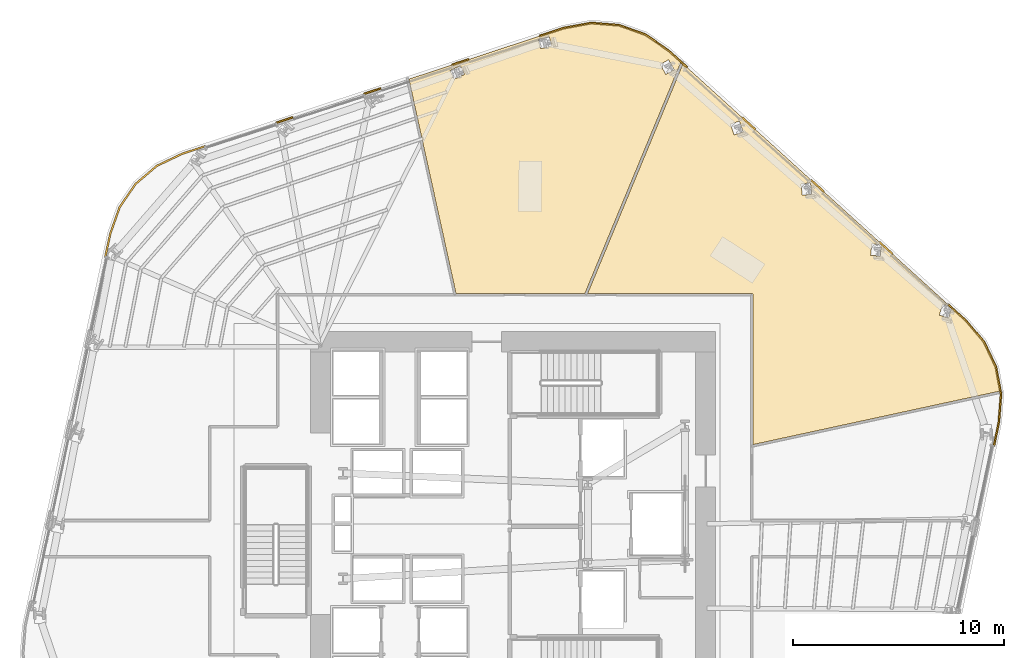
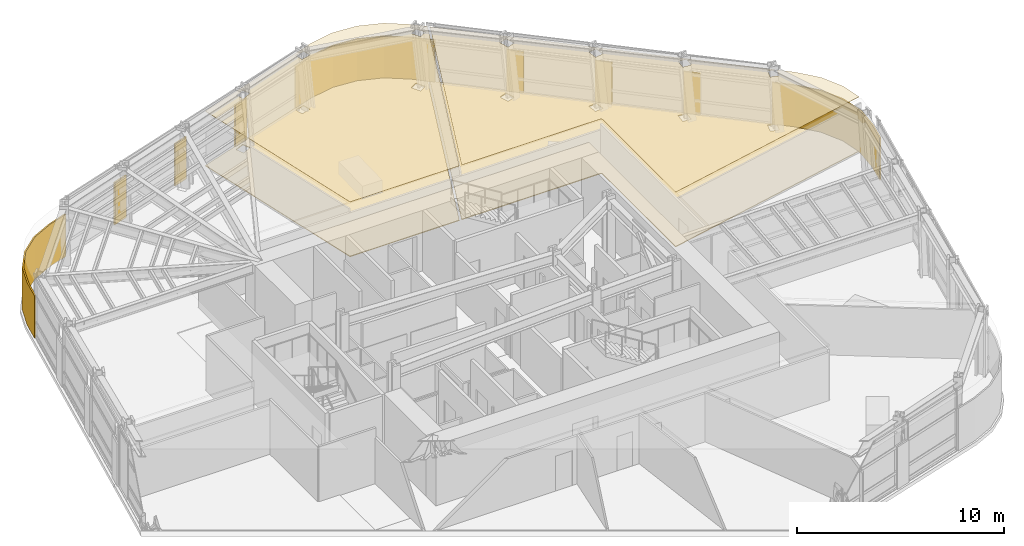
# One storey, part 15 of 16: 13 coverings.
"""IFC4 building model written with IfcOpenShell, lengths in metres."""

from ifc_helpers import new_model, si_unit, direction, frame, origin, place, context, subcontext, project, spatial, polyline, outline, extrude, material, layer, layer_set, type_object, element, save


model = new_model("IFC4")

# Units and contexts
model_context = context("Model", 3, precision=1e-05, world=origin(), true_north=direction((0.0, 1.0)))
body_context = subcontext(model_context, "Body", "Model", "MODEL_VIEW")
ifc_project = project(units=[si_unit("LENGTHUNIT", "METRE"), si_unit("AREAUNIT", "SQUARE_METRE"), si_unit("VOLUMEUNIT", "CUBIC_METRE"), si_unit("PLANEANGLEUNIT", "RADIAN"), si_unit("MASSUNIT", "GRAM", prefix="KILO")], contexts=[model_context])

# Site, building, storey
site_placement = place(None, origin())
site = spatial("IfcSite", under=ifc_project, at=site_placement, CompositionType="ELEMENT")
building_placement = place(site_placement, origin())
building = spatial("IfcBuilding", under=site, at=building_placement, Name="Valkerne Bourse Tower", CompositionType="ELEMENT")
storey_placement = place(building_placement, frame((0.0, 0.0, 101.0)))
storey = spatial("IfcBuildingStorey", under=building, at=storey_placement, Name="L25", CompositionType="ELEMENT", Elevation=101.0)

# Coverings
ifc_material_1 = material(Name="Mineral Fiber Acoustic Ceiling Tile", Category="acoustic")
ifc_layer_1 = layer(ifc_material_1, 0.02490234375)
ifc_layer_set_1 = layer_set([ifc_layer_1], Name="Mineral Fiber Acoustic Ceiling Tile")
covering_type_1 = type_object("IfcCoveringType", Name="COV-CEIL-ACT", PredefinedType="CEILING", material=ifc_layer_set_1)
covering_1_placement = place(storey_placement, frame((0.0, 0.0, 3.22998046875)))
element("IfcCovering", 1, at=covering_1_placement, inside=storey, type_object=covering_type_1, Name="L25 Suspended Ceiling 06", PredefinedType="CEILING", context=body_context, shape_type="SweptSolid", body=[
    extrude(outline(polyline([(51.819580078125, 50.615966796875), (53.063720703125, 50.175537109375), (54.15869140625, 49.4228515625), (54.760009765625, 48.876708984375), (50.2119140625, 37.9189453125), (44.101806640625, 37.9189453125), (41.87158203125, 48.0625), (49.19775390625, 50.477294921875), (50.504150390625, 50.719482421875), (51.819580078125, 50.615966796875)]), holes=[polyline([(44.50390625, 48.284423828125), (44.31640625, 48.693359375), (44.313232421875, 48.693115234375), (43.82568359375, 48.468017578125), (44.01318359375, 48.05908203125), (44.016357421875, 48.0595703125), (44.50390625, 48.284423828125)]), polyline([(54.173828125, 48.980712890625), (54.170654296875, 48.981689453125), (53.778564453125, 48.76318359375), (54.0380859375, 48.29248046875), (54.041259765625, 48.291259765625), (54.43359375, 48.510009765625), (54.173828125, 48.980712890625)]), polyline([(48.52294921875, 50.069580078125), (48.519775390625, 50.06982421875), (47.998779296875, 49.940185546875), (48.106201171875, 49.50341796875), (48.109619140625, 49.503173828125), (48.63037109375, 49.6328125), (48.52294921875, 50.069580078125)])]), origin(), (0.0, 0.0, 1.0), 0.02490234375),
])
covering_2_placement = place(storey_placement, frame((0.0, 0.0, 3.22998046875)))
element("IfcCovering", 2, at=covering_2_placement, inside=storey, type_object=covering_type_1, Name="L25 Suspended Ceiling 08", PredefinedType="CEILING", context=body_context, shape_type="SweptSolid", body=[
    extrude(outline(polyline([(69.673095703125, 34.431884765625), (69.88427734375, 33.29296875), (58.1689453125, 30.754150390625), (58.1689453125, 37.850341796875), (58.16259765625, 37.87890625), (58.146484375, 37.901123046875), (58.100830078125, 37.9189453125), (50.339599609375, 37.9189453125), (54.852783203125, 48.79248046875), (67.5078125, 37.30029296875), (67.149658203125, 37.403076171875), (66.999267578125, 36.886962890625), (67.00048828125, 36.884033203125), (67.432373046875, 36.760009765625), (67.57275390625, 37.241455078125), (68.24169921875, 36.6337890625), (69.10498046875, 35.623046875), (69.673095703125, 34.431884765625)]), holes=[polyline([(64.24462890625, 40.21630859375), (64.242919921875, 40.218994140625), (63.79541015625, 40.259521484375), (63.74462890625, 39.724365234375), (63.74658203125, 39.7216796875), (64.194091796875, 39.68115234375), (64.24462890625, 40.21630859375)]), polyline([(60.89306640625, 43.15087890625), (60.890869140625, 43.15283203125), (60.444580078125, 43.1015625), (60.50390625, 42.567138671875), (60.506103515625, 42.565185546875), (60.952392578125, 42.616455078125), (60.89306640625, 43.15087890625)]), polyline([(57.7001953125, 45.56201171875), (57.533447265625, 46.072998046875), (57.53076171875, 46.07470703125), (57.104248046875, 45.93359375), (57.27099609375, 45.422607421875), (57.273681640625, 45.4208984375), (57.7001953125, 45.56201171875)])]), origin(), (0.0, 0.0, 1.0), 0.02490234375),
])
ifc_material_2 = material(Name="Bronze Anodised Aluminium AA 6063-T6", Category="aluminium")
ifc_layer_2 = layer(ifc_material_2, 0.06005859375)
ifc_layer_set_2 = layer_set([ifc_layer_2], Name="Bronze Anodised Aluminium AA 6063-T6")
covering_type_2 = type_object("IfcCoveringType", Name="COV-CRN-ALUM", PredefinedType="CLADDING", material=ifc_layer_set_2)
covering_3_placement = place(storey_placement, origin())
element("IfcCovering", 3, at=covering_3_placement, inside=storey, type_object=covering_type_2, Name="L25 Wind-Shaped Corner Aluminium Cladding 13", PredefinedType="CLADDING", context=body_context, shape_type="SweptSolid", body=[
    extrude(outline(polyline([(27.693603515625, 40.76416015625), (28.14013671875, 42.025390625), (28.894287109375, 43.12255859375), (29.90625, 43.987060546875), (31.114013671875, 44.56298828125), (32.201416015625, 44.92138671875), (32.226318359375, 44.845458984375), (31.143798828125, 44.488525390625), (29.9501953125, 43.919189453125), (28.9541015625, 43.068603515625), (28.212158203125, 41.989013671875), (27.770751953125, 40.7421875), (27.529052734375, 39.628662109375), (27.45068359375, 39.645263671875), (27.693603515625, 40.76416015625)])), origin(), (0.0, 0.0, 1.0), 2.5),
])
covering_4_placement = place(storey_placement, origin())
element("IfcCovering", 4, at=covering_4_placement, inside=storey, type_object=covering_type_2, Name="L25 Wind-Shaped Corner Aluminium Cladding 14", PredefinedType="CLADDING", context=body_context, shape_type="SweptSolid", body=[
    extrude(outline(polyline([(36.3642578125, 46.293701171875), (36.388916015625, 46.217529296875), (35.59130859375, 45.95458984375), (35.56640625, 46.030517578125), (36.3642578125, 46.293701171875)])), origin(), (0.0, 0.0, 1.0), 2.5),
])
covering_5_placement = place(storey_placement, origin())
element("IfcCovering", 5, at=covering_5_placement, inside=storey, type_object=covering_type_2, Name="L25 Wind-Shaped Corner Aluminium Cladding 15", PredefinedType="CLADDING", context=body_context, shape_type="SweptSolid", body=[
    extrude(outline(polyline([(40.52685546875, 47.665771484375), (40.551513671875, 47.589599609375), (39.75390625, 47.32666015625), (39.72900390625, 47.402587890625), (40.52685546875, 47.665771484375)])), origin(), (0.0, 0.0, 1.0), 2.5),
])
covering_6_placement = place(storey_placement, origin())
element("IfcCovering", 6, at=covering_6_placement, inside=storey, type_object=covering_type_2, Name="L25 Wind-Shaped Corner Aluminium Cladding 16", PredefinedType="CLADDING", context=body_context, shape_type="SweptSolid", body=[
    extrude(outline(polyline([(44.689697265625, 49.037841796875), (44.71435546875, 48.961669921875), (43.91650390625, 48.69873046875), (43.891845703125, 48.77490234375), (44.689697265625, 49.037841796875)])), origin(), (0.0, 0.0, 1.0), 2.5),
])
covering_7_placement = place(storey_placement, origin())
element("IfcCovering", 7, at=covering_7_placement, inside=storey, type_object=covering_type_2, Name="L25 Wind-Shaped Corner Aluminium Cladding 17", PredefinedType="CLADDING", context=body_context, shape_type="SweptSolid", body=[
    extrude(outline(polyline([(49.186767578125, 50.52001953125), (50.501953125, 50.763916015625), (51.828857421875, 50.659423828125), (53.083740234375, 50.215087890625), (54.18603515625, 49.45751953125), (55.068603515625, 48.656005859375), (55.01513671875, 48.5966796875), (54.13623046875, 49.394775390625), (53.047119140625, 50.143310546875), (51.812255859375, 50.58056640625), (50.506103515625, 50.683349609375), (49.206787109375, 50.4423828125), (48.079345703125, 50.07080078125), (48.0546875, 50.14697265625), (49.186767578125, 50.52001953125)])), origin(), (0.0, 0.0, 1.0), 2.5),
])
covering_8_placement = place(storey_placement, origin())
element("IfcCovering", 8, at=covering_8_placement, inside=storey, type_object=covering_type_2, Name="L25 Wind-Shaped Corner Aluminium Cladding 18", PredefinedType="CLADDING", context=body_context, shape_type="SweptSolid", body=[
    extrude(outline(polyline([(58.313232421875, 45.70947265625), (58.259765625, 45.64990234375), (57.637939453125, 46.214599609375), (57.69140625, 46.274169921875), (58.313232421875, 45.70947265625)])), origin(), (0.0, 0.0, 1.0), 2.5),
])
covering_9_placement = place(storey_placement, origin())
element("IfcCovering", 9, at=covering_9_placement, inside=storey, type_object=covering_type_2, Name="L25 Wind-Shaped Corner Aluminium Cladding 19", PredefinedType="CLADDING", context=body_context, shape_type="SweptSolid", body=[
    extrude(outline(polyline([(61.55810546875, 42.7626953125), (61.504638671875, 42.703369140625), (60.8828125, 43.26806640625), (60.936279296875, 43.32763671875), (61.55810546875, 42.7626953125)])), origin(), (0.0, 0.0, 1.0), 2.5),
])
covering_10_placement = place(storey_placement, origin())
element("IfcCovering", 10, at=covering_10_placement, inside=storey, type_object=covering_type_2, Name="L25 Wind-Shaped Corner Aluminium Cladding 20", PredefinedType="CLADDING", context=body_context, shape_type="SweptSolid", body=[
    extrude(outline(polyline([(64.802734375, 39.816162109375), (64.749267578125, 39.7568359375), (64.12744140625, 40.321533203125), (64.180908203125, 40.380859375), (64.802734375, 39.816162109375)])), origin(), (0.0, 0.0, 1.0), 2.5),
])
covering_11_placement = place(storey_placement, origin())
element("IfcCovering", 11, at=covering_11_placement, inside=storey, type_object=covering_type_2, Name="L25 Wind-Shaped Corner Aluminium Cladding 21", PredefinedType="CLADDING", context=body_context, shape_type="SweptSolid", body=[
    extrude(outline(polyline([(68.2734375, 36.66455078125), (69.142333984375, 35.647216796875), (69.71533203125, 34.445556640625), (69.9580078125, 33.13671875), (69.85302734375, 31.802978515625), (69.61962890625, 30.681884765625), (69.54150390625, 30.69873046875), (69.773681640625, 31.814208984375), (69.87744140625, 33.132568359375), (69.638671875, 34.420654296875), (69.07470703125, 35.603271484375), (68.2158203125, 36.608642578125), (67.372314453125, 37.374755859375), (67.42578125, 37.434326171875), (68.2734375, 36.66455078125)])), origin(), (0.0, 0.0, 1.0), 2.5),
])
ifc_material_3 = material(Name="Galvanised Painted Steel", Category="steel")
ifc_layer_3 = layer(ifc_material_3, 0.044921875)
ifc_layer_set_3 = layer_set([ifc_layer_3], Name="Galvanised Painted Steel")
covering_type_3 = type_object("IfcCoveringType", Name="COV-FLR-RAF", PredefinedType="FLOORING", material=ifc_layer_set_3)
covering_12_placement = place(storey_placement, origin())
element("IfcCovering", 12, at=covering_12_placement, inside=storey, type_object=covering_type_3, Name="L25 Floor Finish 06", PredefinedType="FLOORING", context=body_context, shape_type="SweptSolid", body=[
    extrude(outline(polyline([(51.819580078125, 50.615966796875), (53.063720703125, 50.175537109375), (54.15869140625, 49.4228515625), (54.760009765625, 48.876708984375), (50.2119140625, 37.9189453125), (44.101806640625, 37.9189453125), (41.87158203125, 48.0625), (49.19775390625, 50.477294921875), (50.504150390625, 50.719482421875), (51.819580078125, 50.615966796875)]), holes=[polyline([(44.50390625, 48.284423828125), (44.31640625, 48.693359375), (44.313232421875, 48.693115234375), (43.82568359375, 48.468017578125), (44.01318359375, 48.05908203125), (44.016357421875, 48.0595703125), (44.50390625, 48.284423828125)]), polyline([(54.173828125, 48.980712890625), (54.170654296875, 48.981689453125), (53.778564453125, 48.76318359375), (54.0380859375, 48.29248046875), (54.041259765625, 48.291259765625), (54.43359375, 48.510009765625), (54.173828125, 48.980712890625)]), polyline([(48.52294921875, 50.069580078125), (48.519775390625, 50.06982421875), (47.998779296875, 49.940185546875), (48.106201171875, 49.50341796875), (48.109619140625, 49.503173828125), (48.63037109375, 49.6328125), (48.52294921875, 50.069580078125)])]), origin(), (0.0, 0.0, 1.0), 0.044921875),
])
covering_13_placement = place(storey_placement, origin())
element("IfcCovering", 13, at=covering_13_placement, inside=storey, type_object=covering_type_3, Name="L25 Floor Finish 08", PredefinedType="FLOORING", context=body_context, shape_type="SweptSolid", body=[
    extrude(outline(polyline([(69.673095703125, 34.431884765625), (69.88427734375, 33.29296875), (58.1689453125, 30.754150390625), (58.1689453125, 37.850341796875), (58.16259765625, 37.87890625), (58.146484375, 37.901123046875), (58.100830078125, 37.9189453125), (50.339599609375, 37.9189453125), (54.852783203125, 48.79248046875), (67.5078125, 37.30029296875), (67.149658203125, 37.403076171875), (66.999267578125, 36.886962890625), (67.00048828125, 36.884033203125), (67.432373046875, 36.760009765625), (67.57275390625, 37.241455078125), (68.24169921875, 36.6337890625), (69.10498046875, 35.623046875), (69.673095703125, 34.431884765625)]), holes=[polyline([(64.24462890625, 40.21630859375), (64.242919921875, 40.218994140625), (63.79541015625, 40.259521484375), (63.74462890625, 39.724365234375), (63.74658203125, 39.7216796875), (64.194091796875, 39.68115234375), (64.24462890625, 40.21630859375)]), polyline([(60.89306640625, 43.15087890625), (60.890869140625, 43.15283203125), (60.444580078125, 43.1015625), (60.50390625, 42.567138671875), (60.506103515625, 42.565185546875), (60.952392578125, 42.616455078125), (60.89306640625, 43.15087890625)]), polyline([(57.7001953125, 45.56201171875), (57.533447265625, 46.072998046875), (57.53076171875, 46.07470703125), (57.104248046875, 45.93359375), (57.27099609375, 45.422607421875), (57.273681640625, 45.4208984375), (57.7001953125, 45.56201171875)])]), origin(), (0.0, 0.0, 1.0), 0.044921875),
])

save(model, "model.ifc")
